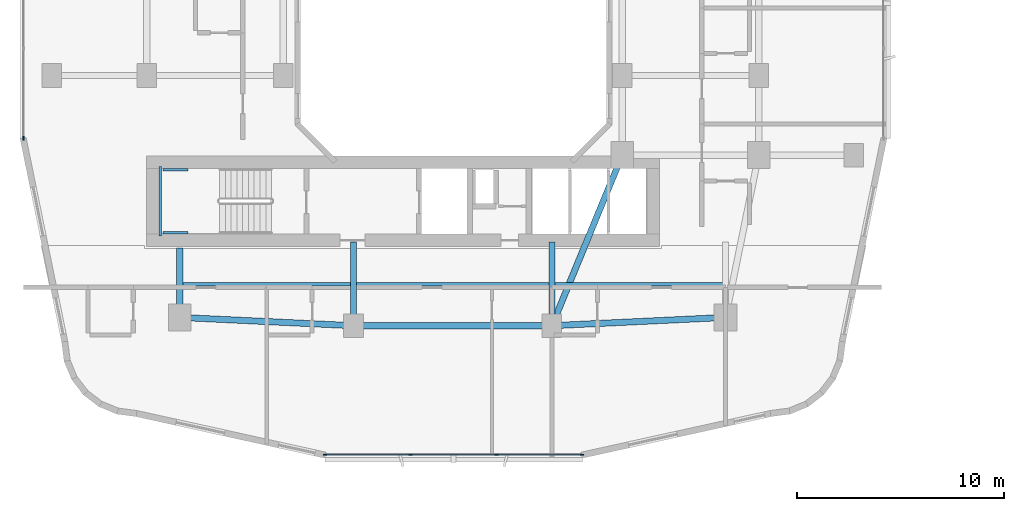
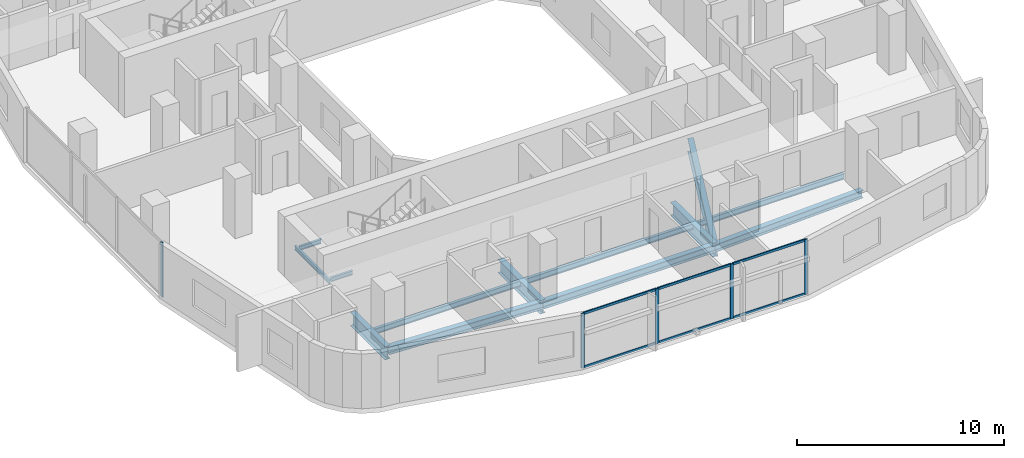
# One storey, part 2 of 27: 13 beams, 11 members, 2 elements without a shape of their own.
"""IFC4 building model written with IfcOpenShell, lengths in metres."""

from ifc_helpers import new_model, si_unit, derived_unit, direction, frame, origin, origin_2d, place, context, subcontext, project, spatial, rectangle, i_section, extrude, material, layer, layer_set, material_profile, profile_set, type_object, element, aggregate, save


model = new_model("IFC4")

# Units and contexts
model_context = context("Model", 3, precision=1e-05, world=origin(), true_north=direction((0.0, 1.0)))
body_context = subcontext(model_context, "Body", "Model", "MODEL_VIEW")
ifc_project = project(units=[si_unit("LENGTHUNIT", "METRE"), si_unit("AREAUNIT", "SQUARE_METRE"), si_unit("VOLUMEUNIT", "CUBIC_METRE"), si_unit("PLANEANGLEUNIT", "RADIAN"), si_unit("MASSUNIT", "GRAM", prefix="KILO"), derived_unit("THERMALTRANSMITTANCEUNIT", [(si_unit("POWERUNIT", "WATT"), 1), (si_unit("LENGTHUNIT", "METRE"), -2), (si_unit("THERMODYNAMICTEMPERATUREUNIT", "KELVIN"), -1)])], contexts=[model_context])

# Site, building, storey
site_placement = place(None, origin())
site = spatial("IfcSite", under=ifc_project, at=site_placement, CompositionType="ELEMENT")
building_placement = place(site_placement, origin())
building = spatial("IfcBuilding", under=site, at=building_placement, Name="Kivonza Crest Hotel", CompositionType="ELEMENT")
storey_placement = place(building_placement, frame((0.0, 0.0, 41.5)))
storey = spatial("IfcBuildingStorey", under=building, at=storey_placement, Name="L10", CompositionType="ELEMENT", Elevation=41.5)

# Beams
ifc_material_1 = material(Name="Steel S355", Category="steel")
ifc_material_profile_1 = material_profile(ifc_material_1, i_section(OverallWidth=0.300048828125, OverallDepth=0.449951171875, WebThickness=0.013916015625, FlangeThickness=0.02587890625, FilletRadius=0.027099609375, at=origin_2d()), Name="HEB 450")
ifc_profile_set_1 = profile_set([ifc_material_profile_1], Name="Steel S355")
beam_type_1 = type_object("IfcBeamType", Name="BM-HEB450", PredefinedType="SPANDREL", material=ifc_profile_set_1)
beam_1_placement = place(storey_placement, frame((16.199951171875, 9.39990234375, -0.5048828125), z_axis=(1.0, 0.0, 0.0), x_axis=(0.0, 1.0, 0.0)))
element("IfcBeam", 1, at=beam_1_placement, inside=storey, type_object=beam_type_1, Name="Tower T1 L10 perimeter spandrel S1-S2", PredefinedType="SPANDREL", context=body_context, shape_type="SweptSolid", body=[
    extrude(i_section(OverallWidth=0.300048828125, OverallDepth=0.449951171875, WebThickness=0.013916015625, FlangeThickness=0.02587890625, FilletRadius=0.027099609375, at=origin_2d()), origin(), (0.0, 0.0, 1.0), 9.60009765625),
])
for number, where, z_axis, x_axis, name in (
    (2, (25.800048828125, 9.39990234375, -0.5048828125), (0.998867283688, 0.047583080799, 0.0), (-0.047583080799, 0.998867283688, 0.0), "Tower T1 L10 perimeter spandrel S2-SE"),
    (3, (7.800048828125, 9.800048828125, -0.5048828125), (0.998867283688, -0.047583080799, 0.0), (0.047583080799, 0.998867283688, 0.0), "Tower T1 L10 perimeter spandrel SW-S1"),
):
    element("IfcBeam", number, at=place(storey_placement, frame(where, z_axis=z_axis, x_axis=x_axis)), inside=storey, type_object=beam_type_1, Name=name, PredefinedType="SPANDREL", context=body_context, shape_type="SweptSolid", body=[
        extrude(i_section(OverallWidth=0.300048828125, OverallDepth=0.449951171875, WebThickness=0.013916015625, FlangeThickness=0.02587890625, FilletRadius=0.027099609375, at=origin_2d()), origin(), (0.0, 0.0, 1.0), 8.409423828125),
    ])
ifc_material_profile_2 = material_profile(ifc_material_1, i_section(OverallWidth=0.300048828125, OverallDepth=0.800048828125, WebThickness=0.017578125, FlangeThickness=0.032958984375, FilletRadius=0.030029296875, at=origin_2d()), Name="HEB 800")
ifc_profile_set_2 = profile_set([ifc_material_profile_2], Name="Steel S355")
beam_type_2 = type_object("IfcBeamType", Name="BM-HEB800", PredefinedType="BEAM", material=ifc_profile_set_2)
beam_2_placement = place(storey_placement, frame((25.800048828125, 9.39990234375, -0.679931640625), z_axis=(0.381022260404, 0.924565864109, 0.0), x_axis=(-0.924565864109, 0.381022260404, 0.0)))
element("IfcBeam", 4, at=beam_2_placement, inside=storey, type_object=beam_type_2, Name="Tower T1 L10 primary girder S1-TSE", PredefinedType="BEAM", context=body_context, shape_type="SweptSolid", body=[
    extrude(i_section(OverallWidth=0.300048828125, OverallDepth=0.800048828125, WebThickness=0.017578125, FlangeThickness=0.032958984375, FilletRadius=0.030029296875, at=origin_2d()), origin(), (0.0, 0.0, 1.0), 8.923095703125),
])
beam_3_placement = place(storey_placement, frame((7.800048828125, 9.800048828125, -0.679931640625), z_axis=(0.0, 1.0, 0.0), x_axis=(-1.0, 0.0, 0.0)))
element("IfcBeam", 5, at=beam_3_placement, inside=storey, type_object=beam_type_2, Name="Tower T1 L10 radial core girder RSW", PredefinedType="BEAM", context=body_context, shape_type="SweptSolid", body=[
    extrude(i_section(OverallWidth=0.300048828125, OverallDepth=0.800048828125, WebThickness=0.017578125, FlangeThickness=0.032958984375, FilletRadius=0.030029296875, at=origin_2d()), origin(), (0.0, 0.0, 1.0), 3.349853515625),
])
for number, where, z_axis, x_axis, name in (
    (6, (16.199951171875, 9.39990234375, -0.679931640625), (0.0, 1.0, 0.0), (-1.0, 0.0, 0.0), "Tower T1 L10 radial core girder RS1"),
    (7, (25.800048828125, 9.39990234375, -0.679931640625), (0.0, 1.0, 0.0), (-1.0, 0.0, 0.0), "Tower T1 L10 radial core girder RS2"),
):
    element("IfcBeam", number, at=place(storey_placement, frame(where, z_axis=z_axis, x_axis=x_axis)), inside=storey, type_object=beam_type_2, Name=name, PredefinedType="BEAM", context=body_context, shape_type="SweptSolid", body=[
        extrude(i_section(OverallWidth=0.300048828125, OverallDepth=0.800048828125, WebThickness=0.017578125, FlangeThickness=0.032958984375, FilletRadius=0.030029296875, at=origin_2d()), origin(), (0.0, 0.0, 1.0), 4.050048828125),
    ])
ifc_material_profile_3 = material_profile(ifc_material_1, i_section(OverallWidth=0.159912109375, OverallDepth=0.330078125, WebThickness=0.007568359375, FlangeThickness=0.011474609375, FilletRadius=0.01806640625, at=origin_2d()), Name="IPE 330")
ifc_profile_set_3 = profile_set([ifc_material_profile_3], Name="Steel S355")
beam_type_3 = type_object("IfcBeamType", Name="BM-IPE330", PredefinedType="JOIST", material=ifc_profile_set_3)
beam_4_placement = place(storey_placement, frame((7.8798828125, 11.39990234375, -0.445068359375), z_axis=(1.0, 0.0, 0.0), x_axis=(0.0, 1.0, 0.0)))
element("IfcBeam", 8, at=beam_4_placement, inside=storey, type_object=beam_type_3, Name="Tower T1 L10 South-West floor joist", PredefinedType="JOIST", context=body_context, shape_type="SweptSolid", body=[
    extrude(i_section(OverallWidth=0.159912109375, OverallDepth=0.330078125, WebThickness=0.007568359375, FlangeThickness=0.011474609375, FilletRadius=0.01806640625, at=origin_2d()), origin(), (0.0, 0.0, 1.0), 8.240234375),
])
beam_5_placement = place(storey_placement, frame((16.280029296875, 11.39990234375, -0.445068359375), z_axis=(1.0, 0.0, 0.0), x_axis=(0.0, 1.0, 0.0)))
element("IfcBeam", 9, at=beam_5_placement, inside=storey, type_object=beam_type_3, Name="Tower T1 L10 South-Mid floor joist", PredefinedType="JOIST", context=body_context, shape_type="SweptSolid", body=[
    extrude(i_section(OverallWidth=0.159912109375, OverallDepth=0.330078125, WebThickness=0.007568359375, FlangeThickness=0.011474609375, FilletRadius=0.01806640625, at=origin_2d()), origin(), (0.0, 0.0, 1.0), 9.43994140625),
])
beam_6_placement = place(storey_placement, frame((25.8798828125, 11.39990234375, -0.445068359375), z_axis=(1.0, 0.0, 0.0), x_axis=(0.0, 1.0, 0.0)))
element("IfcBeam", 10, at=beam_6_placement, inside=storey, type_object=beam_type_3, Name="Tower T1 L10 South-East floor joist", PredefinedType="JOIST", context=body_context, shape_type="SweptSolid", body=[
    extrude(i_section(OverallWidth=0.159912109375, OverallDepth=0.330078125, WebThickness=0.007568359375, FlangeThickness=0.011474609375, FilletRadius=0.01806640625, at=origin_2d()), origin(), (0.0, 0.0, 1.0), 8.240234375),
])
ifc_material_profile_4 = material_profile(ifc_material_1, i_section(OverallWidth=0.1201171875, OverallDepth=0.239990234375, WebThickness=0.006103515625, FlangeThickness=0.009765625, FilletRadius=0.014892578125, at=origin_2d()), Name="IPE 240")
ifc_profile_set_4 = profile_set([ifc_material_profile_4], Name="Steel S355")
beam_type_4 = type_object("IfcBeamType", Name="BM-LLDG-240", PredefinedType="BEAM", material=ifc_profile_set_4)
beam_7_placement = place(storey_placement, frame((6.860107421875, 13.739990234375, 1.429931640625), z_axis=(0.0, 1.0, 0.0), x_axis=(-1.0, 0.0, 0.0)))
element("IfcBeam", 11, at=beam_7_placement, inside=storey, type_object=beam_type_4, Name="Stair ST-T1-S L10 West landing corbel", PredefinedType="BEAM", context=body_context, shape_type="SweptSolid", body=[
    extrude(i_section(OverallWidth=0.1201171875, OverallDepth=0.239990234375, WebThickness=0.006103515625, FlangeThickness=0.009765625, FilletRadius=0.014892578125, at=origin_2d()), origin(), (0.0, 0.0, 1.0), 3.360107421875),
])
for number, where, z_axis, x_axis, name in (
    (12, (6.989990234375, 13.89990234375, 1.429931640625), (1.0, 0.0, 0.0), (0.0, 1.0, 0.0), "Stair ST-T1-S L10 South landing corbel"),
    (13, (6.989990234375, 16.93994140625, 1.429931640625), (1.0, 0.0, 0.0), (0.0, 1.0, 0.0), "Stair ST-T1-S L10 North landing corbel"),
):
    element("IfcBeam", number, at=place(storey_placement, frame(where, z_axis=z_axis, x_axis=x_axis)), inside=storey, type_object=beam_type_4, Name=name, PredefinedType="BEAM", context=body_context, shape_type="SweptSolid", body=[
        extrude(i_section(OverallWidth=0.1201171875, OverallDepth=0.239990234375, WebThickness=0.006103515625, FlangeThickness=0.009765625, FilletRadius=0.014892578125, at=origin_2d()), origin(), (0.0, 0.0, 1.0), 1.2099609375),
    ])

# Curtain wall, members
ifc_material_2 = material(Name="Anodised bronze aluminium and low-E double glazing", Category="aluminium")
ifc_layer = layer(ifc_material_2, 0.179931640625)
ifc_layer_set = layer_set([ifc_layer], Name="Anodised bronze aluminium and low-E double glazing")
curtain_wall_type = type_object("IfcCurtainWallType", Name="CW-SYS-2", PredefinedType="NOTDEFINED", material=ifc_layer_set)
curtain_wall_1_placement = place(storey_placement, origin())
curtain_wall_1 = element("IfcCurtainWall", 14, at=curtain_wall_1_placement, inside=storey, type_object=curtain_wall_type, Name="L10 unitised curtain wall CW-T1-L10-08", PredefinedType="NOTDEFINED")
ifc_material_3 = material(Name="Anodised bronze aluminium", Category="aluminium")
ifc_material_profile_5 = material_profile(ifc_material_3, rectangle(XDim=0.06494140625, YDim=0.179931640625, at=origin_2d()), Name="CW-M 65x180")
ifc_profile_set_5 = profile_set([ifc_material_profile_5], Name="Anodised bronze aluminium")
member_type_1 = type_object("IfcMemberType", Name="CW-MUL-65x180", PredefinedType="MULLION", material=ifc_profile_set_5)
member_1_placement = place(storey_placement, frame((14.824462890625, 3.159912109375, 0.0), z_axis=(0.0, 0.0, 1.0), x_axis=(0.0, 1.0, 0.0)))
member_1 = element("IfcMember", 15, at=member_1_placement, type_object=member_type_1, Name="CW-2 mullion 1", PredefinedType="MULLION", context=body_context, shape_type="SweptSolid", body=[
    extrude(rectangle(XDim=0.06494140625, YDim=0.179931640625, at=origin_2d()), origin(), (0.0, 0.0, 1.0), 3.219970703125),
])
member_2_placement = place(storey_placement, frame((18.957275390625, 3.159912109375, 0.0), z_axis=(0.0, 0.0, 1.0), x_axis=(0.0, 1.0, 0.0)))
member_2 = element("IfcMember", 16, at=member_2_placement, type_object=member_type_1, Name="CW-2 mullion 2", PredefinedType="MULLION", context=body_context, shape_type="SweptSolid", body=[
    extrude(rectangle(XDim=0.06494140625, YDim=0.179931640625, at=origin_2d()), origin(), (0.0, 0.0, 1.0), 3.219970703125),
])
member_3_placement = place(storey_placement, frame((23.12255859375, 3.159912109375, 0.0), z_axis=(0.0, 0.0, 1.0), x_axis=(0.0, 1.0, 0.0)))
member_3 = element("IfcMember", 17, at=member_3_placement, type_object=member_type_1, Name="CW-2 mullion 3", PredefinedType="MULLION", context=body_context, shape_type="SweptSolid", body=[
    extrude(rectangle(XDim=0.06494140625, YDim=0.179931640625, at=origin_2d()), origin(), (0.0, 0.0, 1.0), 3.219970703125),
])
member_4_placement = place(storey_placement, frame((27.255615234375, 3.159912109375, 0.0), z_axis=(0.0, 0.0, 1.0), x_axis=(0.0, 1.0, 0.0)))
member_4 = element("IfcMember", 18, at=member_4_placement, type_object=member_type_1, Name="CW-2 mullion 4", PredefinedType="MULLION", context=body_context, shape_type="SweptSolid", body=[
    extrude(rectangle(XDim=0.06494140625, YDim=0.179931640625, at=origin_2d()), origin(), (0.0, 0.0, 1.0), 3.219970703125),
])

# Curtain wall, member
curtain_wall_2_placement = place(storey_placement, origin())
curtain_wall_2 = element("IfcCurtainWall", 19, at=curtain_wall_2_placement, inside=storey, type_object=curtain_wall_type, Name="L10 unitised curtain wall CW-T1-L10-35", PredefinedType="NOTDEFINED")
member_5_placement = place(storey_placement, frame((0.239990234375, 18.472412109375, 0.0), z_axis=(0.0, 0.0, 1.0), x_axis=(1.0, 0.0, 0.0)))
member_5 = element("IfcMember", 20, at=member_5_placement, type_object=member_type_1, Name="CW-2 mullion 4", PredefinedType="MULLION", context=body_context, shape_type="SweptSolid", body=[
    extrude(rectangle(XDim=0.06494140625, YDim=0.179931640625, at=origin_2d()), origin(), (0.0, 0.0, 1.0), 3.219970703125),
])
aggregate(curtain_wall_2, [member_5])

# Member
ifc_material_profile_6 = material_profile(ifc_material_3, rectangle(XDim=0.06494140625, YDim=0.139892578125, at=origin_2d()), Name="CW-T 65x140")
ifc_profile_set_6 = profile_set([ifc_material_profile_6], Name="Anodised bronze aluminium")
member_type_2 = type_object("IfcMemberType", Name="CW-TRN-65x140", PredefinedType="USERDEFINED", material=ifc_profile_set_6)
member_6_placement = place(storey_placement, frame((14.85693359375, 3.159912109375, 0.032470703125), z_axis=(1.0, 0.0, 0.0), x_axis=(0.0, 1.0, 0.0)))
member_6 = element("IfcMember", 21, at=member_6_placement, type_object=member_type_2, Name="CW-2 transom 1.1", ObjectType="TRANSOM", PredefinedType="USERDEFINED", context=body_context, shape_type="SweptSolid", body=[
    extrude(rectangle(XDim=0.06494140625, YDim=0.139892578125, at=origin_2d()), origin(), (0.0, 0.0, 1.0), 4.06787109375),
])

member_7_placement = place(storey_placement, frame((14.85693359375, 3.159912109375, 3.1875), z_axis=(1.0, 0.0, 0.0), x_axis=(0.0, 1.0, 0.0)))
member_7 = element("IfcMember", 22, at=member_7_placement, type_object=member_type_2, Name="CW-2 transom 1.2", ObjectType="TRANSOM", PredefinedType="USERDEFINED", context=body_context, shape_type="SweptSolid", body=[
    extrude(rectangle(XDim=0.06494140625, YDim=0.139892578125, at=origin_2d()), origin(), (0.0, 0.0, 1.0), 4.06787109375),
])

member_8_placement = place(storey_placement, frame((18.98974609375, 3.159912109375, 0.032470703125), z_axis=(1.0, 0.0, 0.0), x_axis=(0.0, 1.0, 0.0)))
member_8 = element("IfcMember", 23, at=member_8_placement, type_object=member_type_2, Name="CW-2 transom 2.1", ObjectType="TRANSOM", PredefinedType="USERDEFINED", context=body_context, shape_type="SweptSolid", body=[
    extrude(rectangle(XDim=0.06494140625, YDim=0.139892578125, at=origin_2d()), origin(), (0.0, 0.0, 1.0), 4.100341796875),
])

member_9_placement = place(storey_placement, frame((18.98974609375, 3.159912109375, 3.1875), z_axis=(1.0, 0.0, 0.0), x_axis=(0.0, 1.0, 0.0)))
member_9 = element("IfcMember", 24, at=member_9_placement, type_object=member_type_2, Name="CW-2 transom 2.2", ObjectType="TRANSOM", PredefinedType="USERDEFINED", context=body_context, shape_type="SweptSolid", body=[
    extrude(rectangle(XDim=0.06494140625, YDim=0.139892578125, at=origin_2d()), origin(), (0.0, 0.0, 1.0), 4.100341796875),
])

member_10_placement = place(storey_placement, frame((23.1552734375, 3.159912109375, 0.032470703125), z_axis=(1.0, 0.0, 0.0), x_axis=(0.0, 1.0, 0.0)))
member_10 = element("IfcMember", 25, at=member_10_placement, type_object=member_type_2, Name="CW-2 transom 3.1", ObjectType="TRANSOM", PredefinedType="USERDEFINED", context=body_context, shape_type="SweptSolid", body=[
    extrude(rectangle(XDim=0.06494140625, YDim=0.139892578125, at=origin_2d()), origin(), (0.0, 0.0, 1.0), 4.067626953125),
])

member_11_placement = place(storey_placement, frame((23.1552734375, 3.159912109375, 3.1875), z_axis=(1.0, 0.0, 0.0), x_axis=(0.0, 1.0, 0.0)))
member_11 = element("IfcMember", 26, at=member_11_placement, type_object=member_type_2, Name="CW-2 transom 3.2", ObjectType="TRANSOM", PredefinedType="USERDEFINED", context=body_context, shape_type="SweptSolid", body=[
    extrude(rectangle(XDim=0.06494140625, YDim=0.139892578125, at=origin_2d()), origin(), (0.0, 0.0, 1.0), 4.067626953125),
])

aggregate(curtain_wall_1, [member_1, member_2, member_3, member_4, member_6, member_7, member_8, member_9, member_10, member_11])

save(model, "model.ifc")
